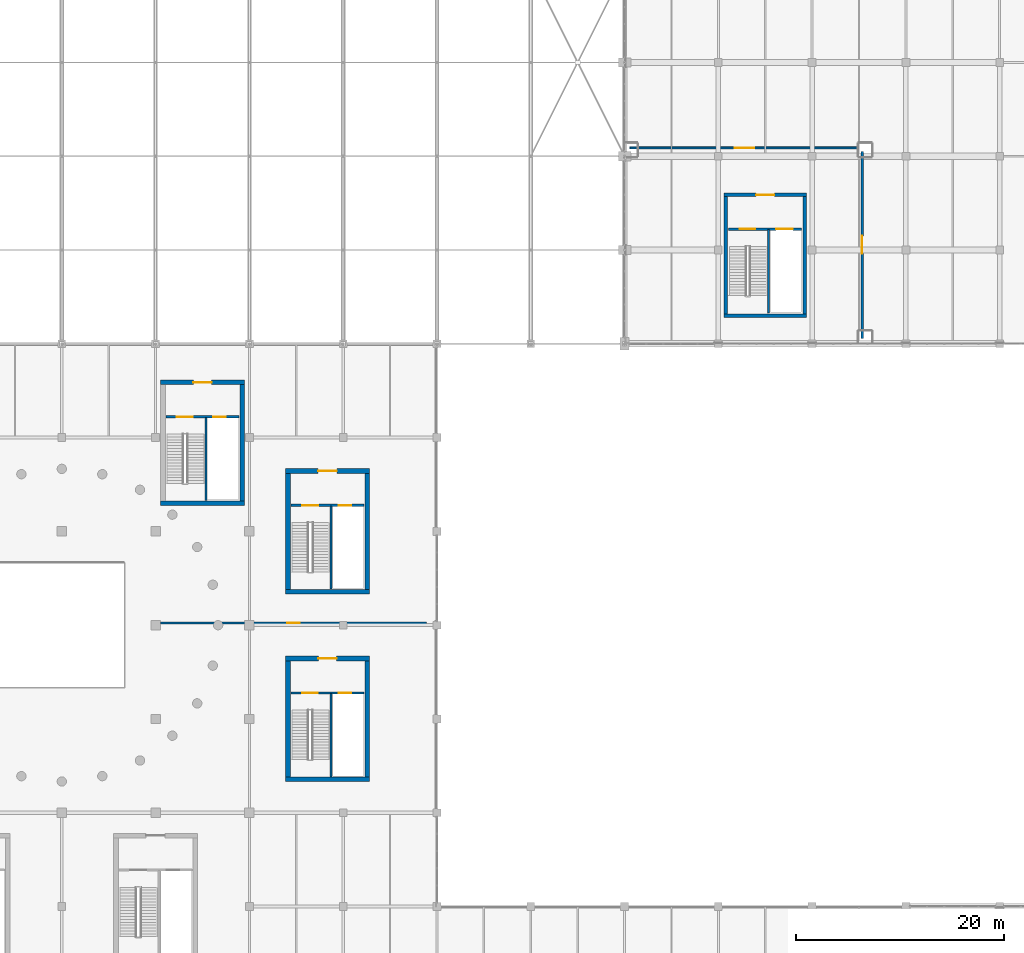
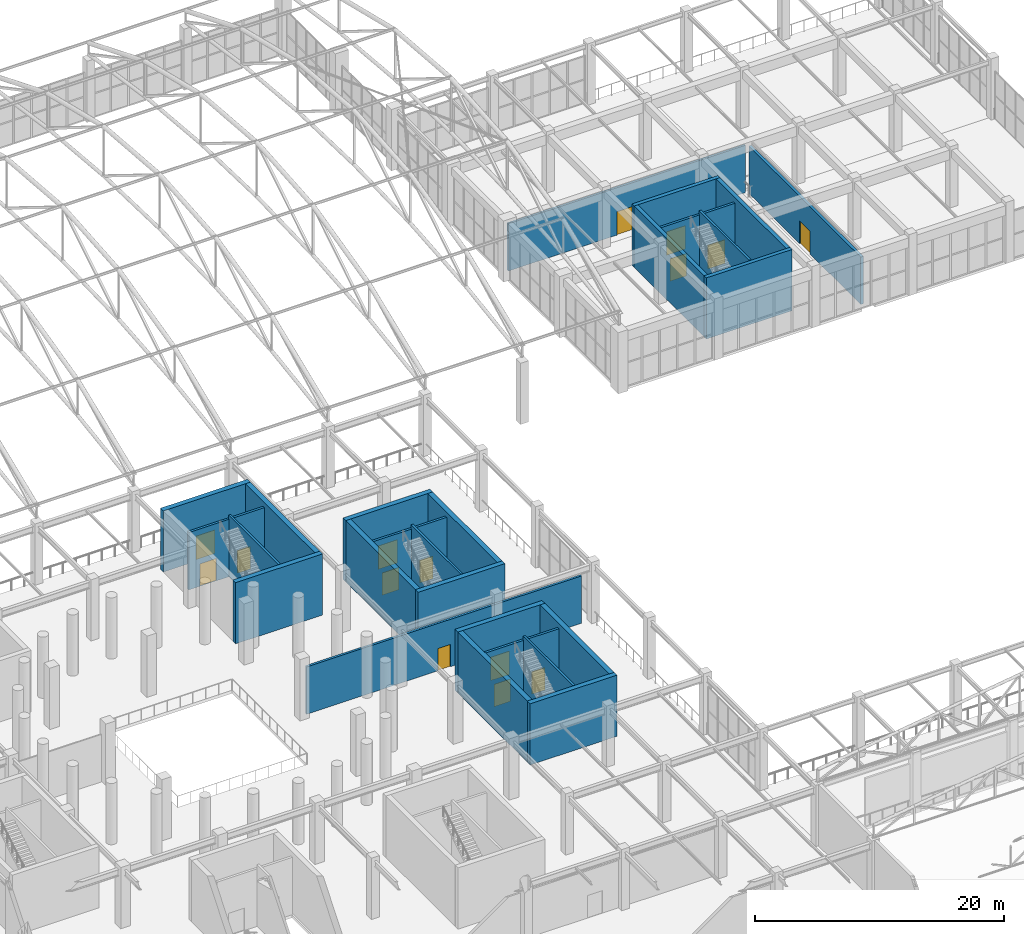
# One storey, part 194 of 223: 26 walls, 15 doors, 15 openings.
"""IFC4 building model written with IfcOpenShell, lengths in metres."""

from ifc_helpers import new_model, si_unit, direction, frame, frame_2d, origin, place, context, subcontext, project, spatial, rectangle, extrude, material, layer, layer_set, type_object, element, fill, save


model = new_model("IFC4")

# Units and contexts
model_context = context("Model", 3, precision=1e-05, world=origin(), true_north=direction((0.0, 1.0)))
body_context = subcontext(model_context, "Body", "Model", "MODEL_VIEW")
ifc_project = project(units=[si_unit("LENGTHUNIT", "METRE"), si_unit("AREAUNIT", "SQUARE_METRE"), si_unit("VOLUMEUNIT", "CUBIC_METRE"), si_unit("PLANEANGLEUNIT", "RADIAN"), si_unit("MASSUNIT", "GRAM", prefix="KILO")], contexts=[model_context])

# Site, building, storey
site_placement = place(None, origin())
site = spatial("IfcSite", under=ifc_project, at=site_placement, CompositionType="ELEMENT")
building_placement = place(site_placement, origin())
building = spatial("IfcBuilding", under=site, at=building_placement, Name="Dornveld Trade and Exhibition Forum", CompositionType="ELEMENT")
storey_placement = place(building_placement, frame((0.0, 0.0, 6.0)))
storey = spatial("IfcBuildingStorey", under=building, at=storey_placement, Name="L01", CompositionType="ELEMENT", Elevation=6.0)

# Wall
ifc_material_1 = material(Name="Concrete C40/50", Category="concrete")
ifc_layer_1 = layer(ifc_material_1, 0.35009765625)
ifc_layer_set_1 = layer_set([ifc_layer_1], Name="Concrete C40/50")
wall_type_1 = type_object("IfcWallType", Name="WL-CORE-350", PredefinedType="SHEAR", material=ifc_layer_set_1)
wall_1_placement = place(storey_placement, frame((180.52490234375, 110.699951171875, 0.0), z_axis=(0.0, 0.0, 1.0), x_axis=(1.0, 0.0, 0.0)))
element("IfcWall", 1, at=wall_1_placement, inside=storey, type_object=wall_type_1, Name="CORE-12 L01 shear wall S", PredefinedType="SHEAR", context=body_context, shape_type="SweptSolid", body=[
    extrude(rectangle(XDim=7.9501953125, YDim=0.35009765625, at=frame_2d((3.97509765625, 0.0))), origin(), (0.0, 0.0, 1.0), 6.0),
])

# Wall, opening, door
wall_2_placement = place(storey_placement, frame((180.52490234375, 122.300048828125, 0.0), z_axis=(0.0, 0.0, 1.0), x_axis=(1.0, 0.0, 0.0)))
wall_2 = element("IfcWall", 2, at=wall_2_placement, inside=storey, type_object=wall_type_1, Name="CORE-12 L01 shear wall N", PredefinedType="SHEAR", context=body_context, shape_type="SweptSolid", body=[
    extrude(rectangle(XDim=7.9501953125, YDim=0.35009765625, at=frame_2d((3.97509765625, 0.0))), origin(), (0.0, 0.0, 1.0), 6.0),
])
opening_1_placement = place(wall_2_placement, frame((3.10009765625, 0.0, 0.0)))
opening_1 = element("IfcOpeningElement", 3, at=opening_1_placement, cuts=wall_2, Name="Opening CD-12-L01", PredefinedType="OPENING", context=body_context, shape_type="SweptSolid", body=[
    extrude(rectangle(XDim=1.75, YDim=2.300048828125, at=frame_2d((0.875, 1.14990234375))), frame((0.0, 0.18505859375, 0.0), z_axis=(0.0, -1.0, 0.0), x_axis=(1.0, 0.0, 0.0)), (0.0, 0.0, 1.0), 0.3701171875),
])
ifc_material_2 = material(Name="Steel fire-rated double door assembly", Category="steel")
door_type_1 = type_object("IfcDoorType", Name="DR-CORE-175x230", OperationType="NOTDEFINED", PredefinedType="DOOR", material=ifc_material_2)
door_1_placement = place(opening_1_placement, origin())
door_1 = element("IfcDoor", 4, at=door_1_placement, inside=storey, type_object=door_type_1, Name="CORE-12 L01 core lobby double fire door", OperationType="DOUBLE_DOOR_SINGLE_SWING", OverallHeight=2.300048828125, OverallWidth=1.75, PredefinedType="DOOR", context=body_context, shape_type="SweptSolid", body=[
    extrude(rectangle(XDim=1.75, YDim=2.300048828125, at=frame_2d((0.875, 1.14990234375))), frame((0.0, 0.02490234375, 0.0), z_axis=(0.0, -1.0, 0.0), x_axis=(1.0, 0.0, 0.0)), (0.0, 0.0, 1.0), 0.050048828125),
])
fill(opening_1, door_1)

# Walls
for number, where, z_axis, x_axis, name in (
    (5, (180.699951171875, 110.875, 0.0), (0.0, 0.0, 1.0), (0.0, 1.0, 0.0), "CORE-12 L01 shear wall W"),
    (6, (188.300048828125, 110.875, 0.0), (0.0, 0.0, 1.0), (0.0, 1.0, 0.0), "CORE-12 L01 shear wall E"),
):
    element("IfcWall", number, at=place(storey_placement, frame(where, z_axis=z_axis, x_axis=x_axis)), inside=storey, type_object=wall_type_1, Name=name, PredefinedType="SHEAR", context=body_context, shape_type="SweptSolid", body=[
        extrude(rectangle(XDim=11.25, YDim=0.35009765625, at=frame_2d((5.625, 0.0))), origin(), (0.0, 0.0, 1.0), 6.0),
    ])
ifc_material_3 = material(Name="Concrete C40/50", Category="concrete")
ifc_layer_2 = layer(ifc_material_3, 0.449951171875)
ifc_layer_set_2 = layer_set([ifc_layer_2], Name="Concrete C40/50")
wall_type_2 = type_object("IfcWallType", Name="WL-CORE-450", PredefinedType="SHEAR", material=ifc_layer_set_2)
wall_3_placement = place(storey_placement, frame((138.47509765625, 84.199951171875, 0.0), z_axis=(0.0, 0.0, 1.0), x_axis=(1.0, 0.0, 0.0)))
element("IfcWall", 7, at=wall_3_placement, inside=storey, type_object=wall_type_2, Name="CORE-01 L01 shear wall S", PredefinedType="SHEAR", context=body_context, shape_type="SweptSolid", body=[
    extrude(rectangle(XDim=8.0498046875, YDim=0.449951171875, at=frame_2d((4.02490234375, 0.0))), origin(), (0.0, 0.0, 1.0), 6.0),
])

# Wall, opening, door
wall_4_placement = place(storey_placement, frame((138.47509765625, 95.800048828125, 0.0), z_axis=(0.0, 0.0, 1.0), x_axis=(1.0, 0.0, 0.0)))
wall_4 = element("IfcWall", 8, at=wall_4_placement, inside=storey, type_object=wall_type_2, Name="CORE-01 L01 shear wall N", PredefinedType="SHEAR", context=body_context, shape_type="SweptSolid", body=[
    extrude(rectangle(XDim=8.0498046875, YDim=0.449951171875, at=frame_2d((4.02490234375, 0.0))), origin(), (0.0, 0.0, 1.0), 6.0),
])
opening_2_placement = place(wall_4_placement, frame((3.125, 0.0, 0.0)))
opening_2 = element("IfcOpeningElement", 9, at=opening_2_placement, cuts=wall_4, Name="Opening CD-01-L01", PredefinedType="OPENING", context=body_context, shape_type="SweptSolid", body=[
    extrude(rectangle(XDim=1.800048828125, YDim=2.300048828125, at=frame_2d((0.89990234375, 1.14990234375))), frame((0.0, 0.23486328125, 0.0), z_axis=(0.0, -1.0, 0.0), x_axis=(1.0, 0.0, 0.0)), (0.0, 0.0, 1.0), 0.469970703125),
])
ifc_material_4 = material(Name="Steel fire-rated double door assembly", Category="steel")
door_type_2 = type_object("IfcDoorType", Name="DR-CORE-180x230", OperationType="NOTDEFINED", PredefinedType="DOOR", material=ifc_material_4)
door_2_placement = place(opening_2_placement, origin())
door_2 = element("IfcDoor", 10, at=door_2_placement, inside=storey, type_object=door_type_2, Name="CORE-01 L01 core lobby double fire door", OperationType="DOUBLE_DOOR_SINGLE_SWING", OverallHeight=2.300048828125, OverallWidth=1.800048828125, PredefinedType="DOOR", context=body_context, shape_type="SweptSolid", body=[
    extrude(rectangle(XDim=1.800048828125, YDim=2.300048828125, at=frame_2d((0.89990234375, 1.14990234375))), frame((0.0, 0.02490234375, 0.0), z_axis=(0.0, -1.0, 0.0), x_axis=(1.0, 0.0, 0.0)), (0.0, 0.0, 1.0), 0.050048828125),
])
fill(opening_2, door_2)

# Walls
for number, where, z_axis, x_axis, name in (
    (11, (138.699951171875, 84.425048828125, 0.0), (0.0, 0.0, 1.0), (0.0, 1.0, 0.0), "CORE-01 L01 shear wall W"),
    (12, (146.300048828125, 84.425048828125, 0.0), (0.0, 0.0, 1.0), (0.0, 1.0, 0.0), "CORE-01 L01 shear wall E"),
):
    element("IfcWall", number, at=place(storey_placement, frame(where, z_axis=z_axis, x_axis=x_axis)), inside=storey, type_object=wall_type_2, Name=name, PredefinedType="SHEAR", context=body_context, shape_type="SweptSolid", body=[
        extrude(rectangle(XDim=11.14990234375, YDim=0.449951171875, at=frame_2d((5.574951171875, 0.0))), origin(), (0.0, 0.0, 1.0), 6.0),
    ])
wall_5_placement = place(storey_placement, frame((126.47509765625, 92.699951171875, 0.0), z_axis=(0.0, 0.0, 1.0), x_axis=(1.0, 0.0, 0.0)))
element("IfcWall", 13, at=wall_5_placement, inside=storey, type_object=wall_type_2, Name="CORE-02 L01 shear wall S", PredefinedType="SHEAR", context=body_context, shape_type="SweptSolid", body=[
    extrude(rectangle(XDim=8.0498046875, YDim=0.449951171875, at=frame_2d((4.02490234375, 0.0))), origin(), (0.0, 0.0, 1.0), 6.0),
])

# Wall, opening, door
wall_6_placement = place(storey_placement, frame((126.47509765625, 104.300048828125, 0.0), z_axis=(0.0, 0.0, 1.0), x_axis=(1.0, 0.0, 0.0)))
wall_6 = element("IfcWall", 14, at=wall_6_placement, inside=storey, type_object=wall_type_2, Name="CORE-02 L01 shear wall N", PredefinedType="SHEAR", context=body_context, shape_type="SweptSolid", body=[
    extrude(rectangle(XDim=8.0498046875, YDim=0.449951171875, at=frame_2d((4.02490234375, 0.0))), origin(), (0.0, 0.0, 1.0), 6.0),
])
opening_3_placement = place(wall_6_placement, frame((3.14990234375, 0.0, 0.0)))
opening_3 = element("IfcOpeningElement", 15, at=opening_3_placement, cuts=wall_6, Name="Opening CD-02-L01", PredefinedType="OPENING", context=body_context, shape_type="SweptSolid", body=[
    extrude(rectangle(XDim=1.75, YDim=2.300048828125, at=frame_2d((0.875, 1.14990234375))), frame((0.0, 0.23486328125, 0.0), z_axis=(0.0, -1.0, 0.0), x_axis=(1.0, 0.0, 0.0)), (0.0, 0.0, 1.0), 0.469970703125),
])
door_3_placement = place(opening_3_placement, origin())
door_3 = element("IfcDoor", 16, at=door_3_placement, inside=storey, type_object=door_type_1, Name="CORE-02 L01 core lobby double fire door", OperationType="DOUBLE_DOOR_SINGLE_SWING", OverallHeight=2.300048828125, OverallWidth=1.75, PredefinedType="DOOR", context=body_context, shape_type="SweptSolid", body=[
    extrude(rectangle(XDim=1.75, YDim=2.300048828125, at=frame_2d((0.875, 1.14990234375))), frame((0.0, 0.02490234375, 0.0), z_axis=(0.0, -1.0, 0.0), x_axis=(1.0, 0.0, 0.0)), (0.0, 0.0, 1.0), 0.050048828125),
])
fill(opening_3, door_3)

# Walls
wall_7_placement = place(storey_placement, frame((134.300048828125, 92.925048828125, 0.0), z_axis=(0.0, 0.0, 1.0), x_axis=(0.0, 1.0, 0.0)))
element("IfcWall", 17, at=wall_7_placement, inside=storey, type_object=wall_type_2, Name="CORE-02 L01 shear wall E", PredefinedType="SHEAR", context=body_context, shape_type="SweptSolid", body=[
    extrude(rectangle(XDim=11.14990234375, YDim=0.449951171875, at=frame_2d((5.574951171875, 0.0))), origin(), (0.0, 0.0, 1.0), 6.0),
])
wall_8_placement = place(storey_placement, frame((138.47509765625, 66.199951171875, 0.0), z_axis=(0.0, 0.0, 1.0), x_axis=(1.0, 0.0, 0.0)))
element("IfcWall", 18, at=wall_8_placement, inside=storey, type_object=wall_type_2, Name="CORE-08 L01 shear wall S", PredefinedType="SHEAR", context=body_context, shape_type="SweptSolid", body=[
    extrude(rectangle(XDim=8.0498046875, YDim=0.449951171875, at=frame_2d((4.02490234375, 0.0))), origin(), (0.0, 0.0, 1.0), 6.0),
])

# Wall, opening, door
wall_9_placement = place(storey_placement, frame((138.47509765625, 77.800048828125, 0.0), z_axis=(0.0, 0.0, 1.0), x_axis=(1.0, 0.0, 0.0)))
wall_9 = element("IfcWall", 19, at=wall_9_placement, inside=storey, type_object=wall_type_2, Name="CORE-08 L01 shear wall N", PredefinedType="SHEAR", context=body_context, shape_type="SweptSolid", body=[
    extrude(rectangle(XDim=8.0498046875, YDim=0.449951171875, at=frame_2d((4.02490234375, 0.0))), origin(), (0.0, 0.0, 1.0), 6.0),
])
opening_4_placement = place(wall_9_placement, frame((3.14990234375, 0.0, 0.0)))
opening_4 = element("IfcOpeningElement", 20, at=opening_4_placement, cuts=wall_9, Name="Opening CD-08-L01", PredefinedType="OPENING", context=body_context, shape_type="SweptSolid", body=[
    extrude(rectangle(XDim=1.75, YDim=2.300048828125, at=frame_2d((0.875, 1.14990234375))), frame((0.0, 0.23486328125, 0.0), z_axis=(0.0, -1.0, 0.0), x_axis=(1.0, 0.0, 0.0)), (0.0, 0.0, 1.0), 0.469970703125),
])
door_4_placement = place(opening_4_placement, origin())
door_4 = element("IfcDoor", 21, at=door_4_placement, inside=storey, type_object=door_type_1, Name="CORE-08 L01 core lobby double fire door", OperationType="DOUBLE_DOOR_SINGLE_SWING", OverallHeight=2.300048828125, OverallWidth=1.75, PredefinedType="DOOR", context=body_context, shape_type="SweptSolid", body=[
    extrude(rectangle(XDim=1.75, YDim=2.300048828125, at=frame_2d((0.875, 1.14990234375))), frame((0.0, 0.02490234375, 0.0), z_axis=(0.0, -1.0, 0.0), x_axis=(1.0, 0.0, 0.0)), (0.0, 0.0, 1.0), 0.050048828125),
])
fill(opening_4, door_4)

# Walls
for number, where, z_axis, x_axis, name in (
    (22, (138.699951171875, 66.425048828125, 0.0), (0.0, 0.0, 1.0), (0.0, 1.0, 0.0), "CORE-08 L01 shear wall W"),
    (23, (146.300048828125, 66.425048828125, 0.0), (0.0, 0.0, 1.0), (0.0, 1.0, 0.0), "CORE-08 L01 shear wall E"),
):
    element("IfcWall", number, at=place(storey_placement, frame(where, z_axis=z_axis, x_axis=x_axis)), inside=storey, type_object=wall_type_2, Name=name, PredefinedType="SHEAR", context=body_context, shape_type="SweptSolid", body=[
        extrude(rectangle(XDim=11.14990234375, YDim=0.449951171875, at=frame_2d((5.574951171875, 0.0))), origin(), (0.0, 0.0, 1.0), 6.0),
    ])

# Wall, opening, door
ifc_material_5 = material(Name="Acoustic twin-stud gypsum and mineral wool", Category="gypsum")
ifc_layer_3 = layer(ifc_material_5, 0.215087890625)
ifc_layer_set_3 = layer_set([ifc_layer_3], Name="Acoustic twin-stud gypsum and mineral wool")
wall_type_3 = type_object("IfcWallType", Name="WL-INT-AC215", PredefinedType="PARTITIONING", material=ifc_layer_set_3)
wall_10_placement = place(storey_placement, frame((126.47998046875, 81.199951171875, 0.0), z_axis=(0.0, 0.0, 1.0), x_axis=(1.0, 0.0, 0.0)))
wall_10 = element("IfcWall", 24, at=wall_10_placement, inside=storey, type_object=wall_type_3, Name="L01 interior partition 109", PredefinedType="PARTITIONING", context=body_context, shape_type="SweptSolid", body=[
    extrude(rectangle(XDim=25.5, YDim=0.215087890625, at=frame_2d((12.75, 0.0))), origin(), (0.0, 0.0, 1.0), 4.639892578125),
])
opening_5_placement = place(wall_10_placement, frame((12.159912109375, 0.0, 0.0)))
opening_5 = element("IfcOpeningElement", 25, at=opening_5_placement, cuts=wall_10, Name="Opening MSD-13-072", PredefinedType="OPENING", context=body_context, shape_type="SweptSolid", body=[
    extrude(rectangle(XDim=1.179931640625, YDim=2.179931640625, at=frame_2d((0.58984375, 1.08984375))), frame((0.0, 0.117431640625, 0.0), z_axis=(0.0, -1.0, 0.0), x_axis=(1.0, 0.0, 0.0)), (0.0, 0.0, 1.0), 0.235107421875),
])
ifc_material_6 = material(Name="Solid-core administration door", Category="wood")
door_type_3 = type_object("IfcDoorType", Name="DR-SUB-118x218", OperationType="NOTDEFINED", PredefinedType="DOOR", material=ifc_material_6)
door_5_placement = place(opening_5_placement, origin())
door_5 = element("IfcDoor", 26, at=door_5_placement, inside=storey, type_object=door_type_3, Name="L01 interior room door 72", OperationType="SINGLE_SWING_RIGHT", OverallHeight=2.179931640625, OverallWidth=1.179931640625, PredefinedType="DOOR", context=body_context, shape_type="SweptSolid", body=[
    extrude(rectangle(XDim=1.179931640625, YDim=2.179931640625, at=frame_2d((0.58984375, 1.08984375))), frame((0.0, 0.02490234375, 0.0), z_axis=(0.0, -1.0, 0.0), x_axis=(1.0, 0.0, 0.0)), (0.0, 0.0, 1.0), 0.050048828125),
])
fill(opening_5, door_5)

ifc_material_7 = material(Name="Acoustic twin-stud gypsum and mineral wool", Category="gypsum")
ifc_layer_4 = layer(ifc_material_7, 0.25)
ifc_layer_set_4 = layer_set([ifc_layer_4], Name="Acoustic twin-stud gypsum and mineral wool")
wall_type_4 = type_object("IfcWallType", Name="WL-INT-AC250", PredefinedType="PARTITIONING", material=ifc_layer_set_4)
wall_11_placement = place(storey_placement, frame((193.800048828125, 108.52001953125, 0.0), z_axis=(0.0, 0.0, 1.0), x_axis=(0.0, 1.0, 0.0)))
wall_11 = element("IfcWall", 27, at=wall_11_placement, inside=storey, type_object=wall_type_4, Name="L01 interior partition 51", PredefinedType="PARTITIONING", context=body_context, shape_type="SweptSolid", body=[
    extrude(rectangle(XDim=17.9599609375, YDim=0.25, at=frame_2d((8.97998046875, 0.0))), origin(), (0.0, 0.0, 1.0), 4.639892578125),
])
opening_6_placement = place(wall_11_placement, frame((8.1298828125, 0.0, 0.0)))
opening_6 = element("IfcOpeningElement", 28, at=opening_6_placement, cuts=wall_11, Name="Opening MRD-02-034", PredefinedType="OPENING", context=body_context, shape_type="SweptSolid", body=[
    extrude(rectangle(XDim=1.699951171875, YDim=2.25, at=frame_2d((0.85009765625, 1.125))), frame((0.0, 0.135009765625, 0.0), z_axis=(0.0, -1.0, 0.0), x_axis=(1.0, 0.0, 0.0)), (0.0, 0.0, 1.0), 0.27001953125),
])
ifc_material_8 = material(Name="Acoustic timber meeting-room double door", Category="wood")
door_type_4 = type_object("IfcDoorType", Name="DR-MEET-170x225", OperationType="NOTDEFINED", PredefinedType="DOOR", material=ifc_material_8)
door_6_placement = place(opening_6_placement, origin())
door_6 = element("IfcDoor", 29, at=door_6_placement, inside=storey, type_object=door_type_4, Name="L01 interior room door 34", OperationType="DOUBLE_DOOR_SINGLE_SWING", OverallHeight=2.25, OverallWidth=1.699951171875, PredefinedType="DOOR", context=body_context, shape_type="SweptSolid", body=[
    extrude(rectangle(XDim=1.699951171875, YDim=2.25, at=frame_2d((0.85009765625, 1.125))), frame((0.0, 0.02490234375, 0.0), z_axis=(0.0, -1.0, 0.0), x_axis=(1.0, 0.0, 0.0)), (0.0, 0.0, 1.0), 0.050048828125),
])
fill(opening_6, door_6)

ifc_material_9 = material(Name="Fire-rated steel-stud gypsum board", Category="steel")
ifc_layer_5 = layer(ifc_material_9, 0.18505859375)
ifc_layer_set_5 = layer_set([ifc_layer_5], Name="Fire-rated steel-stud gypsum board")
wall_type_5 = type_object("IfcWallType", Name="WL-INT-FR185", PredefinedType="PARTITIONING", material=ifc_layer_set_5)
wall_12_placement = place(storey_placement, frame((171.52001953125, 126.800048828125, 0.0), z_axis=(0.0, 0.0, 1.0), x_axis=(1.0, 0.0, 0.0)))
wall_12 = element("IfcWall", 30, at=wall_12_placement, inside=storey, type_object=wall_type_5, Name="L01 interior partition 50", PredefinedType="PARTITIONING", context=body_context, shape_type="SweptSolid", body=[
    extrude(rectangle(XDim=21.9599609375, YDim=0.18505859375, at=frame_2d((10.97998046875, 0.0))), origin(), (0.0, 0.0, 1.0), 4.639892578125),
])
opening_7_placement = place(wall_12_placement, frame((10.054931640625, 0.0, 0.0)))
opening_7 = element("IfcOpeningElement", 31, at=opening_7_placement, cuts=wall_12, Name="Opening MRD-01-033", PredefinedType="OPENING", context=body_context, shape_type="SweptSolid", body=[
    extrude(rectangle(XDim=1.85009765625, YDim=2.300048828125, at=frame_2d((0.925048828125, 1.14990234375))), frame((0.0, 0.1025390625, 0.0), z_axis=(0.0, -1.0, 0.0), x_axis=(1.0, 0.0, 0.0)), (0.0, 0.0, 1.0), 0.205078125),
])
ifc_material_10 = material(Name="Acoustic timber meeting-room double door", Category="wood")
door_type_5 = type_object("IfcDoorType", Name="DR-MEET-185x230", OperationType="NOTDEFINED", PredefinedType="DOOR", material=ifc_material_10)
door_7_placement = place(opening_7_placement, origin())
door_7 = element("IfcDoor", 32, at=door_7_placement, inside=storey, type_object=door_type_5, Name="L01 interior room door 33", OperationType="DOUBLE_DOOR_SINGLE_SWING", OverallHeight=2.300048828125, OverallWidth=1.85009765625, PredefinedType="DOOR", context=body_context, shape_type="SweptSolid", body=[
    extrude(rectangle(XDim=1.85009765625, YDim=2.300048828125, at=frame_2d((0.925048828125, 1.14990234375))), frame((0.0, 0.02490234375, 0.0), z_axis=(0.0, -1.0, 0.0), x_axis=(1.0, 0.0, 0.0)), (0.0, 0.0, 1.0), 0.050048828125),
])
fill(opening_7, door_7)

# Wall, openings, doors
ifc_material_11 = material(Name="Concrete C40/50", Category="concrete")
ifc_layer_6 = layer(ifc_material_11, 0.219970703125)
ifc_layer_set_6 = layer_set([ifc_layer_6], Name="Concrete C40/50")
wall_type_6 = type_object("IfcWallType", Name="WL-INT-LOB220", PredefinedType="SOLIDWALL", material=ifc_layer_set_6)
wall_13_placement = place(storey_placement, frame((139.0, 92.5, 0.0), z_axis=(0.0, 0.0, 1.0), x_axis=(1.0, 0.0, 0.0)))
wall_13 = element("IfcWall", 33, at=wall_13_placement, inside=storey, type_object=wall_type_6, Name="CORE-01 L01 protected lobby bulkhead wall", PredefinedType="SOLIDWALL", context=body_context, shape_type="SweptSolid", body=[
    extrude(rectangle(XDim=7.0, YDim=0.219970703125, at=frame_2d((3.5, 0.0))), origin(), (0.0, 0.0, 1.0), 5.6201171875),
])
opening_8_placement = place(wall_13_placement, frame((1.050048828125, 0.0, 0.0)))
opening_8 = element("IfcOpeningElement", 34, at=opening_8_placement, cuts=wall_13, Name="Opening SD-01-L01", PredefinedType="OPENING", context=body_context, shape_type="SweptSolid", body=[
    extrude(rectangle(XDim=1.550048828125, YDim=2.199951171875, at=frame_2d((0.77490234375, 1.10009765625))), frame((0.0, 0.119873046875, 0.0), z_axis=(0.0, -1.0, 0.0), x_axis=(1.0, 0.0, 0.0)), (0.0, 0.0, 1.0), 0.239990234375),
])
opening_9_placement = place(wall_13_placement, frame((4.550048828125, 0.0, 0.0)))
opening_9 = element("IfcOpeningElement", 35, at=opening_9_placement, cuts=wall_13, Name="Opening LD-01-L01", PredefinedType="OPENING", context=body_context, shape_type="SweptSolid", body=[
    extrude(rectangle(XDim=1.199951171875, YDim=2.199951171875, at=frame_2d((0.60009765625, 1.10009765625))), frame((0.0, 0.119873046875, 0.0), z_axis=(0.0, -1.0, 0.0), x_axis=(1.0, 0.0, 0.0)), (0.0, 0.0, 1.0), 0.239990234375),
])
ifc_material_12 = material(Name="Brushed stainless steel sliding lift landing door", Category="steel")
door_type_6 = type_object("IfcDoorType", Name="DR-LIFT-120x220", OperationType="NOTDEFINED", PredefinedType="DOOR", material=ifc_material_12)
door_8_placement = place(opening_9_placement, origin())
door_8 = element("IfcDoor", 36, at=door_8_placement, inside=storey, type_object=door_type_6, Name="CORE-01 L01 lift sliding landing door", OperationType="SLIDING_TO_LEFT", OverallHeight=2.199951171875, OverallWidth=1.199951171875, PredefinedType="DOOR", context=body_context, shape_type="SweptSolid", body=[
    extrude(rectangle(XDim=1.199951171875, YDim=2.199951171875, at=frame_2d((0.60009765625, 1.10009765625))), frame((0.0, 0.02490234375, 0.0), z_axis=(0.0, -1.0, 0.0), x_axis=(1.0, 0.0, 0.0)), (0.0, 0.0, 1.0), 0.050048828125),
])
fill(opening_9, door_8)
ifc_material_13 = material(Name="Steel fire-rated stair door assembly", Category="steel")
door_type_7 = type_object("IfcDoorType", Name="DR-STAIR-155x220", OperationType="NOTDEFINED", PredefinedType="DOOR", material=ifc_material_13)
door_9_placement = place(opening_8_placement, origin())
door_9 = element("IfcDoor", 37, at=door_9_placement, inside=storey, type_object=door_type_7, Name="CORE-01 L01 protected stair door", OperationType="SINGLE_SWING_LEFT", OverallHeight=2.199951171875, OverallWidth=1.550048828125, PredefinedType="DOOR", context=body_context, shape_type="SweptSolid", body=[
    extrude(rectangle(XDim=1.550048828125, YDim=2.199951171875, at=frame_2d((0.77490234375, 1.10009765625))), frame((0.0, 0.02490234375, 0.0), z_axis=(0.0, -1.0, 0.0), x_axis=(1.0, 0.0, 0.0)), (0.0, 0.0, 1.0), 0.050048828125),
])
fill(opening_8, door_9)

wall_14_placement = place(storey_placement, frame((127.0, 101.0, 0.0), z_axis=(0.0, 0.0, 1.0), x_axis=(1.0, 0.0, 0.0)))
wall_14 = element("IfcWall", 38, at=wall_14_placement, inside=storey, type_object=wall_type_6, Name="CORE-02 L01 protected lobby bulkhead wall", PredefinedType="SOLIDWALL", context=body_context, shape_type="SweptSolid", body=[
    extrude(rectangle(XDim=7.0, YDim=0.219970703125, at=frame_2d((3.5, 0.0))), origin(), (0.0, 0.0, 1.0), 5.6201171875),
])
opening_10_placement = place(wall_14_placement, frame((1.050048828125, 0.0, 0.0)))
opening_10 = element("IfcOpeningElement", 39, at=opening_10_placement, cuts=wall_14, Name="Opening SD-02-L01", PredefinedType="OPENING", context=body_context, shape_type="SweptSolid", body=[
    extrude(rectangle(XDim=1.5, YDim=2.199951171875, at=frame_2d((0.75, 1.10009765625))), frame((0.0, 0.119873046875, 0.0), z_axis=(0.0, -1.0, 0.0), x_axis=(1.0, 0.0, 0.0)), (0.0, 0.0, 1.0), 0.239990234375),
])
opening_11_placement = place(wall_14_placement, frame((4.550048828125, 0.0, 0.0)))
opening_11 = element("IfcOpeningElement", 40, at=opening_11_placement, cuts=wall_14, Name="Opening LD-02-L01", PredefinedType="OPENING", context=body_context, shape_type="SweptSolid", body=[
    extrude(rectangle(XDim=1.199951171875, YDim=2.199951171875, at=frame_2d((0.60009765625, 1.10009765625))), frame((0.0, 0.119873046875, 0.0), z_axis=(0.0, -1.0, 0.0), x_axis=(1.0, 0.0, 0.0)), (0.0, 0.0, 1.0), 0.239990234375),
])
door_10_placement = place(opening_11_placement, origin())
door_10 = element("IfcDoor", 41, at=door_10_placement, inside=storey, type_object=door_type_6, Name="CORE-02 L01 lift sliding landing door", OperationType="SLIDING_TO_RIGHT", OverallHeight=2.199951171875, OverallWidth=1.199951171875, PredefinedType="DOOR", context=body_context, shape_type="SweptSolid", body=[
    extrude(rectangle(XDim=1.199951171875, YDim=2.199951171875, at=frame_2d((0.60009765625, 1.10009765625))), frame((0.0, 0.02490234375, 0.0), z_axis=(0.0, -1.0, 0.0), x_axis=(1.0, 0.0, 0.0)), (0.0, 0.0, 1.0), 0.050048828125),
])
fill(opening_11, door_10)
ifc_material_14 = material(Name="Steel fire-rated stair door assembly", Category="steel")
door_type_8 = type_object("IfcDoorType", Name="DR-STAIR-150x220", OperationType="NOTDEFINED", PredefinedType="DOOR", material=ifc_material_14)
door_11_placement = place(opening_10_placement, origin())
door_11 = element("IfcDoor", 42, at=door_11_placement, inside=storey, type_object=door_type_8, Name="CORE-02 L01 protected stair door", OperationType="SINGLE_SWING_RIGHT", OverallHeight=2.199951171875, OverallWidth=1.5, PredefinedType="DOOR", context=body_context, shape_type="SweptSolid", body=[
    extrude(rectangle(XDim=1.5, YDim=2.199951171875, at=frame_2d((0.75, 1.10009765625))), frame((0.0, 0.02490234375, 0.0), z_axis=(0.0, -1.0, 0.0), x_axis=(1.0, 0.0, 0.0)), (0.0, 0.0, 1.0), 0.050048828125),
])
fill(opening_10, door_11)

wall_15_placement = place(storey_placement, frame((139.0, 74.5, 0.0), z_axis=(0.0, 0.0, 1.0), x_axis=(1.0, 0.0, 0.0)))
wall_15 = element("IfcWall", 43, at=wall_15_placement, inside=storey, type_object=wall_type_6, Name="CORE-08 L01 protected lobby bulkhead wall", PredefinedType="SOLIDWALL", context=body_context, shape_type="SweptSolid", body=[
    extrude(rectangle(XDim=7.0, YDim=0.219970703125, at=frame_2d((3.5, 0.0))), origin(), (0.0, 0.0, 1.0), 5.6201171875),
])
opening_12_placement = place(wall_15_placement, frame((1.050048828125, 0.0, 0.0)))
opening_12 = element("IfcOpeningElement", 44, at=opening_12_placement, cuts=wall_15, Name="Opening SD-08-L01", PredefinedType="OPENING", context=body_context, shape_type="SweptSolid", body=[
    extrude(rectangle(XDim=1.5, YDim=2.199951171875, at=frame_2d((0.75, 1.10009765625))), frame((0.0, 0.119873046875, 0.0), z_axis=(0.0, -1.0, 0.0), x_axis=(1.0, 0.0, 0.0)), (0.0, 0.0, 1.0), 0.239990234375),
])
opening_13_placement = place(wall_15_placement, frame((4.550048828125, 0.0, 0.0)))
opening_13 = element("IfcOpeningElement", 45, at=opening_13_placement, cuts=wall_15, Name="Opening LD-08-L01", PredefinedType="OPENING", context=body_context, shape_type="SweptSolid", body=[
    extrude(rectangle(XDim=1.199951171875, YDim=2.199951171875, at=frame_2d((0.60009765625, 1.10009765625))), frame((0.0, 0.119873046875, 0.0), z_axis=(0.0, -1.0, 0.0), x_axis=(1.0, 0.0, 0.0)), (0.0, 0.0, 1.0), 0.239990234375),
])
door_12_placement = place(opening_13_placement, origin())
door_12 = element("IfcDoor", 46, at=door_12_placement, inside=storey, type_object=door_type_6, Name="CORE-08 L01 lift sliding landing door", OperationType="SLIDING_TO_RIGHT", OverallHeight=2.199951171875, OverallWidth=1.199951171875, PredefinedType="DOOR", context=body_context, shape_type="SweptSolid", body=[
    extrude(rectangle(XDim=1.199951171875, YDim=2.199951171875, at=frame_2d((0.60009765625, 1.10009765625))), frame((0.0, 0.02490234375, 0.0), z_axis=(0.0, -1.0, 0.0), x_axis=(1.0, 0.0, 0.0)), (0.0, 0.0, 1.0), 0.050048828125),
])
fill(opening_13, door_12)
door_13_placement = place(opening_12_placement, origin())
door_13 = element("IfcDoor", 47, at=door_13_placement, inside=storey, type_object=door_type_8, Name="CORE-08 L01 protected stair door", OperationType="SINGLE_SWING_RIGHT", OverallHeight=2.199951171875, OverallWidth=1.5, PredefinedType="DOOR", context=body_context, shape_type="SweptSolid", body=[
    extrude(rectangle(XDim=1.5, YDim=2.199951171875, at=frame_2d((0.75, 1.10009765625))), frame((0.0, 0.02490234375, 0.0), z_axis=(0.0, -1.0, 0.0), x_axis=(1.0, 0.0, 0.0)), (0.0, 0.0, 1.0), 0.050048828125),
])
fill(opening_12, door_13)

wall_16_placement = place(storey_placement, frame((181.0, 119.0, 0.0), z_axis=(0.0, 0.0, 1.0), x_axis=(1.0, 0.0, 0.0)))
wall_16 = element("IfcWall", 48, at=wall_16_placement, inside=storey, type_object=wall_type_6, Name="CORE-12 L01 protected lobby bulkhead wall", PredefinedType="SOLIDWALL", context=body_context, shape_type="SweptSolid", body=[
    extrude(rectangle(XDim=7.0, YDim=0.219970703125, at=frame_2d((3.5, 0.0))), origin(), (0.0, 0.0, 1.0), 5.6201171875),
])
opening_14_placement = place(wall_16_placement, frame((1.050048828125, 0.0, 0.0)))
opening_14 = element("IfcOpeningElement", 49, at=opening_14_placement, cuts=wall_16, Name="Opening SD-12-L01", PredefinedType="OPENING", context=body_context, shape_type="SweptSolid", body=[
    extrude(rectangle(XDim=1.5, YDim=2.199951171875, at=frame_2d((0.75, 1.10009765625))), frame((0.0, 0.119873046875, 0.0), z_axis=(0.0, -1.0, 0.0), x_axis=(1.0, 0.0, 0.0)), (0.0, 0.0, 1.0), 0.239990234375),
])
opening_15_placement = place(wall_16_placement, frame((4.550048828125, 0.0, 0.0)))
opening_15 = element("IfcOpeningElement", 50, at=opening_15_placement, cuts=wall_16, Name="Opening LD-12-L01", PredefinedType="OPENING", context=body_context, shape_type="SweptSolid", body=[
    extrude(rectangle(XDim=1.60009765625, YDim=2.300048828125, at=frame_2d((0.800048828125, 1.14990234375))), frame((0.0, 0.119873046875, 0.0), z_axis=(0.0, -1.0, 0.0), x_axis=(1.0, 0.0, 0.0)), (0.0, 0.0, 1.0), 0.239990234375),
])
ifc_material_15 = material(Name="Heavy-duty steel sliding freight lift landing door", Category="steel")
door_type_9 = type_object("IfcDoorType", Name="DR-LIFT-160x230", OperationType="NOTDEFINED", PredefinedType="DOOR", material=ifc_material_15)
door_14_placement = place(opening_15_placement, origin())
door_14 = element("IfcDoor", 51, at=door_14_placement, inside=storey, type_object=door_type_9, Name="CORE-12 L01 lift sliding landing door", OperationType="SLIDING_TO_RIGHT", OverallHeight=2.300048828125, OverallWidth=1.60009765625, PredefinedType="DOOR", context=body_context, shape_type="SweptSolid", body=[
    extrude(rectangle(XDim=1.60009765625, YDim=2.300048828125, at=frame_2d((0.800048828125, 1.14990234375))), frame((0.0, 0.02490234375, 0.0), z_axis=(0.0, -1.0, 0.0), x_axis=(1.0, 0.0, 0.0)), (0.0, 0.0, 1.0), 0.050048828125),
])
fill(opening_15, door_14)
door_15_placement = place(opening_14_placement, origin())
door_15 = element("IfcDoor", 52, at=door_15_placement, inside=storey, type_object=door_type_8, Name="CORE-12 L01 protected stair door", OperationType="SINGLE_SWING_RIGHT", OverallHeight=2.199951171875, OverallWidth=1.5, PredefinedType="DOOR", context=body_context, shape_type="SweptSolid", body=[
    extrude(rectangle(XDim=1.5, YDim=2.199951171875, at=frame_2d((0.75, 1.10009765625))), frame((0.0, 0.02490234375, 0.0), z_axis=(0.0, -1.0, 0.0), x_axis=(1.0, 0.0, 0.0)), (0.0, 0.0, 1.0), 0.050048828125),
])
fill(opening_14, door_15)

# Walls
ifc_material_16 = material(Name="Concrete C40/50", Category="concrete")
ifc_layer_7 = layer(ifc_material_16, 0.199951171875)
ifc_layer_set_7 = layer_set([ifc_layer_7], Name="Concrete C40/50")
wall_type_7 = type_object("IfcWallType", Name="WL-INT-SHAFT200", PredefinedType="SOLIDWALL", material=ifc_layer_set_7)
for number, where, z_axis, x_axis, name in (
    (53, (142.820068359375, 84.449951171875, 0.0), (0.0, 0.0, 1.0), (0.0, 1.0, 0.0), "CORE-01 L01 lift-stair structural shaft wall"),
    (54, (130.820068359375, 92.949951171875, 0.0), (0.0, 0.0, 1.0), (0.0, 1.0, 0.0), "CORE-02 L01 lift-stair structural shaft wall"),
    (55, (142.820068359375, 66.449951171875, 0.0), (0.0, 0.0, 1.0), (0.0, 1.0, 0.0), "CORE-08 L01 lift-stair structural shaft wall"),
    (56, (184.820068359375, 110.949951171875, 0.0), (0.0, 0.0, 1.0), (0.0, 1.0, 0.0), "CORE-12 L01 lift-stair structural shaft wall"),
):
    element("IfcWall", number, at=place(storey_placement, frame(where, z_axis=z_axis, x_axis=x_axis)), inside=storey, type_object=wall_type_7, Name=name, PredefinedType="SOLIDWALL", context=body_context, shape_type="SweptSolid", body=[
        extrude(rectangle(XDim=8.0, YDim=0.199951171875, at=frame_2d((4.0, 0.0))), origin(), (0.0, 0.0, 1.0), 6.0),
    ])

save(model, "model.ifc")
